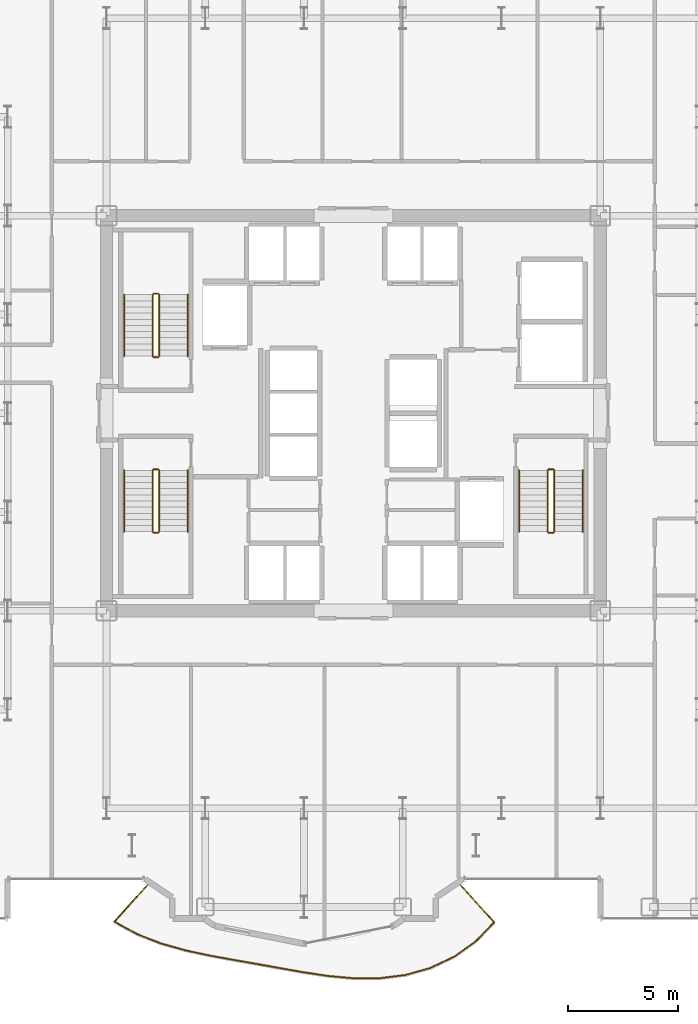
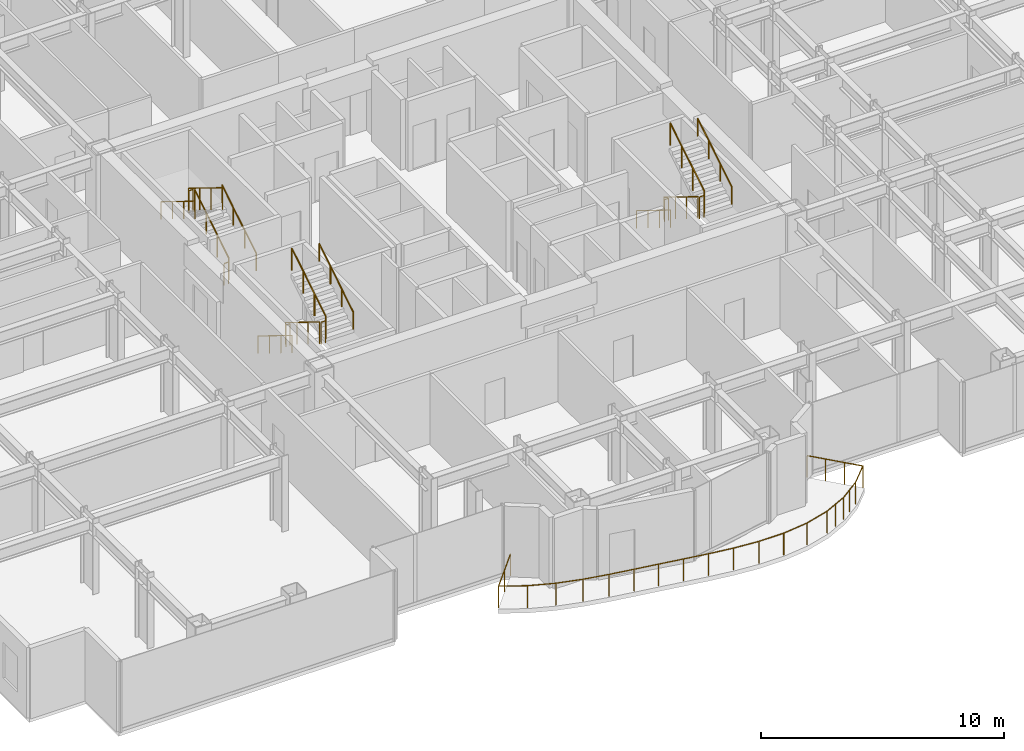
# One storey, part 28 of 29: 19 railings.
"""IFC4 building model written with IfcOpenShell, lengths in metres."""

from ifc_helpers import new_model, si_unit, direction, frame, origin, origin_2d, place, context, subcontext, project, spatial, circle, extrude, material, type_object, element, save


model = new_model("IFC4")

# Units and contexts
model_context = context("Model", 3, precision=1e-05, world=origin(), true_north=direction((0.0, 1.0)))
body_context = subcontext(model_context, "Body", "Model", "MODEL_VIEW")
ifc_project = project(units=[si_unit("LENGTHUNIT", "METRE"), si_unit("AREAUNIT", "SQUARE_METRE"), si_unit("VOLUMEUNIT", "CUBIC_METRE"), si_unit("PLANEANGLEUNIT", "RADIAN"), si_unit("MASSUNIT", "GRAM", prefix="KILO")], contexts=[model_context])

# Site, building, storey
site_placement = place(None, origin())
site = spatial("IfcSite", under=ifc_project, at=site_placement, CompositionType="ELEMENT")
building_placement = place(site_placement, origin())
building = spatial("IfcBuilding", under=site, at=building_placement, Name="Nefas-Gora Pilgrimage Tower", CompositionType="ELEMENT")
storey_placement = place(building_placement, frame((0.0, 0.0, 125.0)))
storey = spatial("IfcBuildingStorey", under=building, at=storey_placement, Name="L30", CompositionType="ELEMENT", Elevation=125.0)

# Railings
ifc_material_1 = material(Name="Laminated safety glass and stainless steel", Category="steel")
railing_type_1 = type_object("IfcRailingType", Name="RLG-BAL-1100", PredefinedType="BALUSTRADE", material=ifc_material_1)
railing_1_placement = place(storey_placement, frame((-9.302490234375, -21.402587890625, 0.0)))
element("IfcRailing", 1, at=railing_1_placement, inside=storey, type_object=railing_type_1, Name="L30 Wave Balcony Balustrade S2", PredefinedType="BALUSTRADE", context=body_context, shape_type="SweptSolid", body=[
    extrude(circle(Radius=0.02392578125, at=origin_2d()), frame((0.0, 0.0, 1.09619140625), z_axis=(-0.669135077133, -0.74314079995, 0.0), x_axis=(0.74314079995, -0.669135077133, 0.0)), (0.0, 0.0, 1.0), 2.375244140625),
    extrude(circle(Radius=0.02392578125, at=origin_2d()), frame((-1.58935546875, -1.76513671875, 1.09619140625), z_axis=(0.878083063922, -0.478508236976, 0.0), x_axis=(0.478508236976, 0.878083063922, 0.0)), (0.0, 0.0, 1.0), 1.19384765625),
    extrude(circle(Radius=0.02392578125, at=origin_2d()), frame((-0.541015625, -2.33642578125, 1.09619140625), z_axis=(0.932264516766, -0.361777377374, 0.0), x_axis=(0.361777377374, 0.932264516766, 0.0)), (0.0, 0.0, 1.0), 1.18017578125),
    extrude(circle(Radius=0.02392578125, at=origin_2d()), frame((0.559326171875, -2.763427734375, 1.09619140625), z_axis=(0.962944291486, -0.269700373552, 0.0), x_axis=(0.269700373552, 0.962944291486, 0.0)), (0.0, 0.0, 1.0), 1.156982421875),
    extrude(circle(Radius=0.02392578125, at=origin_2d()), frame((1.67333984375, -3.075439453125, 1.09619140625), z_axis=(0.978071187114, -0.208270864351, 0.0), x_axis=(0.208270864351, 0.978071187114, 0.0)), (0.0, 0.0, 1.0), 1.12646484375),
    extrude(circle(Radius=0.02392578125, at=origin_2d()), frame((2.775146484375, -3.31005859375, 1.09619140625), z_axis=(0.983987188897, -0.178239199074, 0.0), x_axis=(0.178239199074, 0.983987188897, 0.0)), (0.0, 0.0, 1.0), 1.09716796875),
    extrude(circle(Radius=0.02392578125, at=origin_2d()), frame((3.854736328125, -3.505615234375, 1.09619140625), z_axis=(0.985033351449, -0.172363849265, 0.0), x_axis=(0.172363849265, 0.985033351449, 0.0)), (0.0, 0.0, 1.0), 1.077880859375),
    extrude(circle(Radius=0.02392578125, at=origin_2d()), frame((4.91650390625, -3.69140625, 1.09619140625), z_axis=(0.984191230585, -0.177109067071, 0.0), x_axis=(0.177109067071, 0.984191230585, 0.0)), (0.0, 0.0, 1.0), 1.07666015625),
    extrude(circle(Radius=0.02392578125, at=origin_2d()), frame((5.97607421875, -3.882080078125, 1.09619140625), z_axis=(0.984747561973, -0.173989192737, 0.0), x_axis=(0.173989192737, 0.984747561973, 0.0)), (0.0, 0.0, 1.0), 1.093017578125),
    extrude(circle(Radius=0.02392578125, at=origin_2d()), frame((7.052490234375, -4.072265625, 1.09619140625), z_axis=(0.98891878254, -0.148457541204, 0.0), x_axis=(0.148457541204, 0.98891878254, 0.0)), (0.0, 0.0, 1.0), 1.12158203125),
    extrude(circle(Radius=0.02392578125, at=origin_2d()), frame((8.16162109375, -4.23876953125, 1.09619140625), z_axis=(0.995840939659, -0.091108851926, 0.0), x_axis=(0.091108851926, 0.995840939659, 0.0)), (0.0, 0.0, 1.0), 1.15234375),
    extrude(circle(Radius=0.02392578125, at=origin_2d()), frame((9.30908203125, -4.34375, 1.09619140625), z_axis=(0.999999806466, 0.000622148366, 0.0), x_axis=(-0.000622148366, 0.999999806466, 0.0)), (0.0, 0.0, 1.0), 1.17724609375),
    extrude(circle(Radius=0.02392578125, at=origin_2d()), frame((10.486328125, -4.343017578125, 1.09619140625), z_axis=(0.992246343829, 0.124286737661, 0.0), x_axis=(-0.124286737661, 0.992246343829, 0.0)), (0.0, 0.0, 1.0), 1.1923828125),
    extrude(circle(Radius=0.02392578125, at=origin_2d()), frame((11.66943359375, -4.19482421875, 1.09619140625), z_axis=(0.962380056338, 0.271706877282, 0.0), x_axis=(-0.271706877282, 0.962380056338, 0.0)), (0.0, 0.0, 1.0), 1.19873046875),
    extrude(circle(Radius=0.02392578125, at=origin_2d()), frame((12.822998046875, -3.869140625, 1.09619140625), z_axis=(0.902687538692, 0.430296650568, 0.0), x_axis=(-0.430296650568, 0.902687538692, 0.0)), (0.0, 0.0, 1.0), 1.20068359375),
    extrude(circle(Radius=0.02392578125, at=origin_2d()), frame((13.90673828125, -3.3525390625, 1.09619140625), z_axis=(0.812274321028, 0.58327560158, 0.0), x_axis=(-0.58327560158, 0.812274321028, 0.0)), (0.0, 0.0, 1.0), 1.200439453125),
    extrude(circle(Radius=0.02392578125, at=origin_2d()), frame((14.8818359375, -2.65234375, 1.09619140625), z_axis=(0.699126878219, 0.714997628074, 0.0), x_axis=(-0.714997628074, 0.699126878219, 0.0)), (0.0, 0.0, 1.0), 1.199951171875),
    extrude(circle(Radius=0.02392578125, at=origin_2d()), frame((15.720703125, -1.79443359375, 1.09619140625), z_axis=(-0.669132296829, 0.743143303368, 0.0), x_axis=(-0.743143303368, -0.669132296829, 0.0)), (0.0, 0.0, 1.0), 2.41455078125),
    extrude(circle(Radius=0.02099609375, at=origin_2d()), origin(), (0.0, 0.0, 1.0), 1.072021484375),
    extrude(circle(Radius=0.02099609375, at=origin_2d()), frame((-0.794677734375, -0.882568359375, 0.0)), (0.0, 0.0, 1.0), 1.072021484375),
    extrude(circle(Radius=0.02099609375, at=origin_2d()), frame((-1.58935546875, -1.76513671875, 0.0)), (0.0, 0.0, 1.0), 1.072021484375),
    extrude(circle(Radius=0.02099609375, at=origin_2d()), frame((-0.541015625, -2.33642578125, 0.0)), (0.0, 0.0, 1.0), 1.072021484375),
    extrude(circle(Radius=0.02099609375, at=origin_2d()), frame((0.559326171875, -2.763427734375, 0.0)), (0.0, 0.0, 1.0), 1.072021484375),
    extrude(circle(Radius=0.02099609375, at=origin_2d()), frame((1.67333984375, -3.075439453125, 0.0)), (0.0, 0.0, 1.0), 1.072021484375),
    extrude(circle(Radius=0.02099609375, at=origin_2d()), frame((2.775146484375, -3.31005859375, 0.0)), (0.0, 0.0, 1.0), 1.072021484375),
    extrude(circle(Radius=0.02099609375, at=origin_2d()), frame((3.854736328125, -3.505615234375, 0.0)), (0.0, 0.0, 1.0), 1.072021484375),
    extrude(circle(Radius=0.02099609375, at=origin_2d()), frame((4.91650390625, -3.69140625, 0.0)), (0.0, 0.0, 1.0), 1.072021484375),
    extrude(circle(Radius=0.02099609375, at=origin_2d()), frame((5.97607421875, -3.882080078125, 0.0)), (0.0, 0.0, 1.0), 1.072021484375),
    extrude(circle(Radius=0.02099609375, at=origin_2d()), frame((7.052490234375, -4.072265625, 0.0)), (0.0, 0.0, 1.0), 1.072021484375),
    extrude(circle(Radius=0.02099609375, at=origin_2d()), frame((8.16162109375, -4.23876953125, 0.0)), (0.0, 0.0, 1.0), 1.072021484375),
    extrude(circle(Radius=0.02099609375, at=origin_2d()), frame((9.30908203125, -4.34375, 0.0)), (0.0, 0.0, 1.0), 1.072021484375),
    extrude(circle(Radius=0.02099609375, at=origin_2d()), frame((10.486328125, -4.343017578125, 0.0)), (0.0, 0.0, 1.0), 1.072021484375),
    extrude(circle(Radius=0.02099609375, at=origin_2d()), frame((11.66943359375, -4.19482421875, 0.0)), (0.0, 0.0, 1.0), 1.072021484375),
    extrude(circle(Radius=0.02099609375, at=origin_2d()), frame((12.822998046875, -3.869140625, 0.0)), (0.0, 0.0, 1.0), 1.072021484375),
    extrude(circle(Radius=0.02099609375, at=origin_2d()), frame((13.36474609375, -3.61083984375, 0.0)), (0.0, 0.0, 1.0), 1.072021484375),
    extrude(circle(Radius=0.02099609375, at=origin_2d()), frame((13.90673828125, -3.3525390625, 0.0)), (0.0, 0.0, 1.0), 1.072021484375),
    extrude(circle(Radius=0.02099609375, at=origin_2d()), frame((14.394287109375, -3.00244140625, 0.0)), (0.0, 0.0, 1.0), 1.072021484375),
    extrude(circle(Radius=0.02099609375, at=origin_2d()), frame((14.8818359375, -2.65234375, 0.0)), (0.0, 0.0, 1.0), 1.072021484375),
    extrude(circle(Radius=0.02099609375, at=origin_2d()), frame((15.720703125, -1.79443359375, 0.0)), (0.0, 0.0, 1.0), 1.072021484375),
    extrude(circle(Radius=0.02099609375, at=origin_2d()), frame((15.18212890625, -1.1962890625, 0.0)), (0.0, 0.0, 1.0), 1.072021484375),
    extrude(circle(Radius=0.02099609375, at=origin_2d()), frame((14.6435546875, -0.59814453125, 0.0)), (0.0, 0.0, 1.0), 1.072021484375),
    extrude(circle(Radius=0.02099609375, at=origin_2d()), frame((14.10498046875, 0.0, 0.0)), (0.0, 0.0, 1.0), 1.072021484375),
])
ifc_material_2 = material(Name="Painted galvanised steel", Category="steel")
railing_type_2 = type_object("IfcRailingType", Name="RLG-STR-GUARD-1100", PredefinedType="GUARDRAIL", material=ifc_material_2)
railing_2_placement = place(storey_placement, frame((-8.85009765625, 2.60009765625, 0.172607421875)))
element("IfcRailing", 2, at=railing_2_placement, inside=storey, type_object=railing_type_2, Name="L30 ST-01 stair guard 1", PredefinedType="GUARDRAIL", context=body_context, shape_type="SweptSolid", body=[
    extrude(circle(Radius=0.02392578125, at=origin_2d()), frame((0.0, 0.0, 1.09619140625), z_axis=(0.0, 0.851069175582, 0.525053576669), x_axis=(-1.0, 0.0, 0.0)), (0.0, 0.0, 1.0), 3.289794921875),
    extrude(circle(Radius=0.02099609375, at=origin_2d()), origin(), (0.0, 0.0, 1.0), 1.072021484375),
    extrude(circle(Radius=0.02099609375, at=origin_2d()), frame((0.0, 0.933349609375, 0.57568359375)), (0.0, 0.0, 1.0), 1.072021484375),
    extrude(circle(Radius=0.02099609375, at=origin_2d()), frame((0.0, 1.866455078125, 1.151611328125)), (0.0, 0.0, 1.0), 1.072021484375),
    extrude(circle(Radius=0.02099609375, at=origin_2d()), frame((0.0, 2.7998046875, 1.727294921875)), (0.0, 0.0, 1.0), 1.072021484375),
])
railing_3_placement = place(storey_placement, frame((-8.89990234375, 5.449951171875, 1.89990234375)))
element("IfcRailing", 3, at=railing_3_placement, inside=storey, type_object=railing_type_2, Name="L30 ST-01 stair guard 2", PredefinedType="GUARDRAIL", context=body_context, shape_type="SweptSolid", body=[
    extrude(circle(Radius=0.02392578125, at=origin_2d()), frame((0.0, 0.0, 1.09619140625), z_axis=(-1.0, 0.0, 0.0), x_axis=(0.0, -1.0, 0.0)), (0.0, 0.0, 1.0), 0.2001953125),
    extrude(circle(Radius=0.02099609375, at=origin_2d()), origin(), (0.0, 0.0, 1.0), 1.072021484375),
    extrude(circle(Radius=0.02099609375, at=origin_2d()), frame((-0.2001953125, 0.0, 0.0)), (0.0, 0.0, 1.0), 1.072021484375),
])
railing_4_placement = place(storey_placement, frame((-9.14990234375, 5.39990234375, 2.07275390625)))
element("IfcRailing", 4, at=railing_4_placement, inside=storey, type_object=railing_type_2, Name="L30 ST-01 stair guard 3", PredefinedType="GUARDRAIL", context=body_context, shape_type="SweptSolid", body=[
    extrude(circle(Radius=0.02392578125, at=origin_2d()), frame((0.0, 0.0, 1.09619140625), z_axis=(0.0, -0.851069175582, 0.525053576669), x_axis=(1.0, 0.0, 0.0)), (0.0, 0.0, 1.0), 3.289794921875),
    extrude(circle(Radius=0.02099609375, at=origin_2d()), origin(), (0.0, 0.0, 1.0), 1.072021484375),
    extrude(circle(Radius=0.02099609375, at=origin_2d()), frame((0.0, -0.933349609375, 0.57568359375)), (0.0, 0.0, 1.0), 1.072021484375),
    extrude(circle(Radius=0.02099609375, at=origin_2d()), frame((0.0, -1.866455078125, 1.151611328125)), (0.0, 0.0, 1.0), 1.072021484375),
    extrude(circle(Radius=0.02099609375, at=origin_2d()), frame((0.0, -2.7998046875, 1.727294921875)), (0.0, 0.0, 1.0), 1.072021484375),
])
railing_5_placement = place(storey_placement, frame((-8.89990234375, 2.550048828125, 0.0)))
element("IfcRailing", 5, at=railing_5_placement, inside=storey, type_object=railing_type_2, Name="L30 ST-01 stair guard 4", PredefinedType="GUARDRAIL", context=body_context, shape_type="SweptSolid", body=[
    extrude(circle(Radius=0.02392578125, at=origin_2d()), frame((0.0, 0.0, 1.09619140625), z_axis=(-1.0, 0.0, 0.0), x_axis=(0.0, -1.0, 0.0)), (0.0, 0.0, 1.0), 0.2001953125),
    extrude(circle(Radius=0.02099609375, at=origin_2d()), origin(), (0.0, 0.0, 1.0), 1.072021484375),
    extrude(circle(Radius=0.02099609375, at=origin_2d()), frame((-0.2001953125, 0.0, 0.0)), (0.0, 0.0, 1.0), 1.072021484375),
])
railing_6_placement = place(storey_placement, frame((8.85009765625, -2.60009765625, 0.172607421875)))
element("IfcRailing", 6, at=railing_6_placement, inside=storey, type_object=railing_type_2, Name="L30 ST-02 stair guard 1", PredefinedType="GUARDRAIL", context=body_context, shape_type="SweptSolid", body=[
    extrude(circle(Radius=0.02392578125, at=origin_2d()), frame((0.0, 0.0, 1.09619140625), z_axis=(0.0, -0.851069175582, 0.525053576669), x_axis=(1.0, 0.0, 0.0)), (0.0, 0.0, 1.0), 3.289794921875),
    extrude(circle(Radius=0.02099609375, at=origin_2d()), origin(), (0.0, 0.0, 1.0), 1.072021484375),
    extrude(circle(Radius=0.02099609375, at=origin_2d()), frame((0.0, -0.933349609375, 0.57568359375)), (0.0, 0.0, 1.0), 1.072021484375),
    extrude(circle(Radius=0.02099609375, at=origin_2d()), frame((0.0, -1.866455078125, 1.151611328125)), (0.0, 0.0, 1.0), 1.072021484375),
    extrude(circle(Radius=0.02099609375, at=origin_2d()), frame((0.0, -2.7998046875, 1.727294921875)), (0.0, 0.0, 1.0), 1.072021484375),
])
railing_7_placement = place(storey_placement, frame((8.89990234375, -5.449951171875, 1.89990234375)))
element("IfcRailing", 7, at=railing_7_placement, inside=storey, type_object=railing_type_2, Name="L30 ST-02 stair guard 2", PredefinedType="GUARDRAIL", context=body_context, shape_type="SweptSolid", body=[
    extrude(circle(Radius=0.02392578125, at=origin_2d()), frame((0.0, 0.0, 1.09619140625), z_axis=(1.0, 0.0, 0.0), x_axis=(0.0, 1.0, 0.0)), (0.0, 0.0, 1.0), 0.2001953125),
    extrude(circle(Radius=0.02099609375, at=origin_2d()), origin(), (0.0, 0.0, 1.0), 1.072021484375),
    extrude(circle(Radius=0.02099609375, at=origin_2d()), frame((0.2001953125, 0.0, 0.0)), (0.0, 0.0, 1.0), 1.072021484375),
])
railing_8_placement = place(storey_placement, frame((9.14990234375, -5.39990234375, 2.07275390625)))
element("IfcRailing", 8, at=railing_8_placement, inside=storey, type_object=railing_type_2, Name="L30 ST-02 stair guard 3", PredefinedType="GUARDRAIL", context=body_context, shape_type="SweptSolid", body=[
    extrude(circle(Radius=0.02392578125, at=origin_2d()), frame((0.0, 0.0, 1.09619140625), z_axis=(0.0, 0.851069175582, 0.525053576669), x_axis=(-1.0, 0.0, 0.0)), (0.0, 0.0, 1.0), 3.289794921875),
    extrude(circle(Radius=0.02099609375, at=origin_2d()), origin(), (0.0, 0.0, 1.0), 1.072021484375),
    extrude(circle(Radius=0.02099609375, at=origin_2d()), frame((0.0, 0.933349609375, 0.57568359375)), (0.0, 0.0, 1.0), 1.072021484375),
    extrude(circle(Radius=0.02099609375, at=origin_2d()), frame((0.0, 1.866455078125, 1.151611328125)), (0.0, 0.0, 1.0), 1.072021484375),
    extrude(circle(Radius=0.02099609375, at=origin_2d()), frame((0.0, 2.7998046875, 1.727294921875)), (0.0, 0.0, 1.0), 1.072021484375),
])
railing_9_placement = place(storey_placement, frame((8.89990234375, -2.550048828125, 0.0)))
element("IfcRailing", 9, at=railing_9_placement, inside=storey, type_object=railing_type_2, Name="L30 ST-02 stair guard 4", PredefinedType="GUARDRAIL", context=body_context, shape_type="SweptSolid", body=[
    extrude(circle(Radius=0.02392578125, at=origin_2d()), frame((0.0, 0.0, 1.09619140625), z_axis=(1.0, 0.0, 0.0), x_axis=(0.0, 1.0, 0.0)), (0.0, 0.0, 1.0), 0.2001953125),
    extrude(circle(Radius=0.02099609375, at=origin_2d()), origin(), (0.0, 0.0, 1.0), 1.072021484375),
    extrude(circle(Radius=0.02099609375, at=origin_2d()), frame((0.2001953125, 0.0, 0.0)), (0.0, 0.0, 1.0), 1.072021484375),
])
railing_10_placement = place(storey_placement, frame((-9.14990234375, -2.60009765625, 0.172607421875)))
element("IfcRailing", 10, at=railing_10_placement, inside=storey, type_object=railing_type_2, Name="L30 ST-03 stair guard 1", PredefinedType="GUARDRAIL", context=body_context, shape_type="SweptSolid", body=[
    extrude(circle(Radius=0.02392578125, at=origin_2d()), frame((0.0, 0.0, 1.09619140625), z_axis=(0.0, -0.851069175582, 0.525053576669), x_axis=(1.0, 0.0, 0.0)), (0.0, 0.0, 1.0), 3.289794921875),
    extrude(circle(Radius=0.02099609375, at=origin_2d()), origin(), (0.0, 0.0, 1.0), 1.072021484375),
    extrude(circle(Radius=0.02099609375, at=origin_2d()), frame((0.0, -0.933349609375, 0.57568359375)), (0.0, 0.0, 1.0), 1.072021484375),
    extrude(circle(Radius=0.02099609375, at=origin_2d()), frame((0.0, -1.866455078125, 1.151611328125)), (0.0, 0.0, 1.0), 1.072021484375),
    extrude(circle(Radius=0.02099609375, at=origin_2d()), frame((0.0, -2.7998046875, 1.727294921875)), (0.0, 0.0, 1.0), 1.072021484375),
])
railing_11_placement = place(storey_placement, frame((-9.10009765625, -5.449951171875, 1.89990234375)))
element("IfcRailing", 11, at=railing_11_placement, inside=storey, type_object=railing_type_2, Name="L30 ST-03 stair guard 2", PredefinedType="GUARDRAIL", context=body_context, shape_type="SweptSolid", body=[
    extrude(circle(Radius=0.02392578125, at=origin_2d()), frame((0.0, 0.0, 1.09619140625), z_axis=(1.0, 0.0, 0.0), x_axis=(0.0, 1.0, 0.0)), (0.0, 0.0, 1.0), 0.2001953125),
    extrude(circle(Radius=0.02099609375, at=origin_2d()), origin(), (0.0, 0.0, 1.0), 1.072021484375),
    extrude(circle(Radius=0.02099609375, at=origin_2d()), frame((0.2001953125, 0.0, 0.0)), (0.0, 0.0, 1.0), 1.072021484375),
])
railing_12_placement = place(storey_placement, frame((-8.85009765625, -5.39990234375, 2.07275390625)))
element("IfcRailing", 12, at=railing_12_placement, inside=storey, type_object=railing_type_2, Name="L30 ST-03 stair guard 3", PredefinedType="GUARDRAIL", context=body_context, shape_type="SweptSolid", body=[
    extrude(circle(Radius=0.02392578125, at=origin_2d()), frame((0.0, 0.0, 1.09619140625), z_axis=(0.0, 0.851069175582, 0.525053576669), x_axis=(-1.0, 0.0, 0.0)), (0.0, 0.0, 1.0), 3.289794921875),
    extrude(circle(Radius=0.02099609375, at=origin_2d()), origin(), (0.0, 0.0, 1.0), 1.072021484375),
    extrude(circle(Radius=0.02099609375, at=origin_2d()), frame((0.0, 0.933349609375, 0.57568359375)), (0.0, 0.0, 1.0), 1.072021484375),
    extrude(circle(Radius=0.02099609375, at=origin_2d()), frame((0.0, 1.866455078125, 1.151611328125)), (0.0, 0.0, 1.0), 1.072021484375),
    extrude(circle(Radius=0.02099609375, at=origin_2d()), frame((0.0, 2.7998046875, 1.727294921875)), (0.0, 0.0, 1.0), 1.072021484375),
])
railing_13_placement = place(storey_placement, frame((-9.10009765625, -2.550048828125, 0.0)))
element("IfcRailing", 13, at=railing_13_placement, inside=storey, type_object=railing_type_2, Name="L30 ST-03 stair guard 4", PredefinedType="GUARDRAIL", context=body_context, shape_type="SweptSolid", body=[
    extrude(circle(Radius=0.02392578125, at=origin_2d()), frame((0.0, 0.0, 1.09619140625), z_axis=(1.0, 0.0, 0.0), x_axis=(0.0, 1.0, 0.0)), (0.0, 0.0, 1.0), 0.2001953125),
    extrude(circle(Radius=0.02099609375, at=origin_2d()), origin(), (0.0, 0.0, 1.0), 1.072021484375),
    extrude(circle(Radius=0.02099609375, at=origin_2d()), frame((0.2001953125, 0.0, 0.0)), (0.0, 0.0, 1.0), 1.072021484375),
])
ifc_material_3 = material(Name="Brushed stainless steel", Category="steel")
railing_type_3 = type_object("IfcRailingType", Name="RLG-STR-HAND-900", PredefinedType="HANDRAIL", material=ifc_material_3)
railing_14_placement = place(storey_placement, frame((-7.550048828125, 2.60009765625, 0.172607421875)))
element("IfcRailing", 14, at=railing_14_placement, inside=storey, type_object=railing_type_3, Name="L30 ST-01 stair handrail 1", PredefinedType="HANDRAIL", context=body_context, shape_type="SweptSolid", body=[
    extrude(circle(Radius=0.02392578125, at=origin_2d()), frame((0.0, 0.0, 0.8759765625), z_axis=(0.0, 0.851069175582, 0.525053576669), x_axis=(-1.0, 0.0, 0.0)), (0.0, 0.0, 1.0), 3.289794921875),
    extrude(circle(Radius=0.02099609375, at=origin_2d()), origin(), (0.0, 0.0, 1.0), 0.851806640625),
    extrude(circle(Radius=0.02099609375, at=origin_2d()), frame((0.0, 0.933349609375, 0.57568359375)), (0.0, 0.0, 1.0), 0.851806640625),
    extrude(circle(Radius=0.02099609375, at=origin_2d()), frame((0.0, 1.866455078125, 1.151611328125)), (0.0, 0.0, 1.0), 0.851806640625),
    extrude(circle(Radius=0.02099609375, at=origin_2d()), frame((0.0, 2.7998046875, 1.727294921875)), (0.0, 0.0, 1.0), 0.851806640625),
])
for number, where, name in (
    (15, (-10.449951171875, 5.39990234375, 2.07275390625), "L30 ST-01 stair handrail 2"),
    (16, (7.550048828125, -2.60009765625, 0.172607421875), "L30 ST-02 stair handrail 1"),
):
    element("IfcRailing", number, at=place(storey_placement, frame(where)), inside=storey, type_object=railing_type_3, Name=name, PredefinedType="HANDRAIL", context=body_context, shape_type="SweptSolid", body=[
        extrude(circle(Radius=0.02392578125, at=origin_2d()), frame((0.0, 0.0, 0.8759765625), z_axis=(0.0, -0.851069175582, 0.525053576669), x_axis=(1.0, 0.0, 0.0)), (0.0, 0.0, 1.0), 3.289794921875),
        extrude(circle(Radius=0.02099609375, at=origin_2d()), origin(), (0.0, 0.0, 1.0), 0.851806640625),
        extrude(circle(Radius=0.02099609375, at=origin_2d()), frame((0.0, -0.933349609375, 0.57568359375)), (0.0, 0.0, 1.0), 0.851806640625),
        extrude(circle(Radius=0.02099609375, at=origin_2d()), frame((0.0, -1.866455078125, 1.151611328125)), (0.0, 0.0, 1.0), 0.851806640625),
        extrude(circle(Radius=0.02099609375, at=origin_2d()), frame((0.0, -2.7998046875, 1.727294921875)), (0.0, 0.0, 1.0), 0.851806640625),
    ])
railing_15_placement = place(storey_placement, frame((10.449951171875, -5.39990234375, 2.07275390625)))
element("IfcRailing", 17, at=railing_15_placement, inside=storey, type_object=railing_type_3, Name="L30 ST-02 stair handrail 2", PredefinedType="HANDRAIL", context=body_context, shape_type="SweptSolid", body=[
    extrude(circle(Radius=0.02392578125, at=origin_2d()), frame((0.0, 0.0, 0.8759765625), z_axis=(0.0, 0.851069175582, 0.525053576669), x_axis=(-1.0, 0.0, 0.0)), (0.0, 0.0, 1.0), 3.289794921875),
    extrude(circle(Radius=0.02099609375, at=origin_2d()), origin(), (0.0, 0.0, 1.0), 0.851806640625),
    extrude(circle(Radius=0.02099609375, at=origin_2d()), frame((0.0, 0.933349609375, 0.57568359375)), (0.0, 0.0, 1.0), 0.851806640625),
    extrude(circle(Radius=0.02099609375, at=origin_2d()), frame((0.0, 1.866455078125, 1.151611328125)), (0.0, 0.0, 1.0), 0.851806640625),
    extrude(circle(Radius=0.02099609375, at=origin_2d()), frame((0.0, 2.7998046875, 1.727294921875)), (0.0, 0.0, 1.0), 0.851806640625),
])
railing_16_placement = place(storey_placement, frame((-10.449951171875, -2.60009765625, 0.172607421875)))
element("IfcRailing", 18, at=railing_16_placement, inside=storey, type_object=railing_type_3, Name="L30 ST-03 stair handrail 1", PredefinedType="HANDRAIL", context=body_context, shape_type="SweptSolid", body=[
    extrude(circle(Radius=0.02392578125, at=origin_2d()), frame((0.0, 0.0, 0.8759765625), z_axis=(0.0, -0.851069175582, 0.525053576669), x_axis=(1.0, 0.0, 0.0)), (0.0, 0.0, 1.0), 3.289794921875),
    extrude(circle(Radius=0.02099609375, at=origin_2d()), origin(), (0.0, 0.0, 1.0), 0.851806640625),
    extrude(circle(Radius=0.02099609375, at=origin_2d()), frame((0.0, -0.933349609375, 0.57568359375)), (0.0, 0.0, 1.0), 0.851806640625),
    extrude(circle(Radius=0.02099609375, at=origin_2d()), frame((0.0, -1.866455078125, 1.151611328125)), (0.0, 0.0, 1.0), 0.851806640625),
    extrude(circle(Radius=0.02099609375, at=origin_2d()), frame((0.0, -2.7998046875, 1.727294921875)), (0.0, 0.0, 1.0), 0.851806640625),
])
railing_17_placement = place(storey_placement, frame((-7.550048828125, -5.39990234375, 2.07275390625)))
element("IfcRailing", 19, at=railing_17_placement, inside=storey, type_object=railing_type_3, Name="L30 ST-03 stair handrail 2", PredefinedType="HANDRAIL", context=body_context, shape_type="SweptSolid", body=[
    extrude(circle(Radius=0.02392578125, at=origin_2d()), frame((0.0, 0.0, 0.8759765625), z_axis=(0.0, 0.851069175582, 0.525053576669), x_axis=(-1.0, 0.0, 0.0)), (0.0, 0.0, 1.0), 3.289794921875),
    extrude(circle(Radius=0.02099609375, at=origin_2d()), origin(), (0.0, 0.0, 1.0), 0.851806640625),
    extrude(circle(Radius=0.02099609375, at=origin_2d()), frame((0.0, 0.933349609375, 0.57568359375)), (0.0, 0.0, 1.0), 0.851806640625),
    extrude(circle(Radius=0.02099609375, at=origin_2d()), frame((0.0, 1.866455078125, 1.151611328125)), (0.0, 0.0, 1.0), 0.851806640625),
    extrude(circle(Radius=0.02099609375, at=origin_2d()), frame((0.0, 2.7998046875, 1.727294921875)), (0.0, 0.0, 1.0), 0.851806640625),
])

save(model, "model.ifc")
